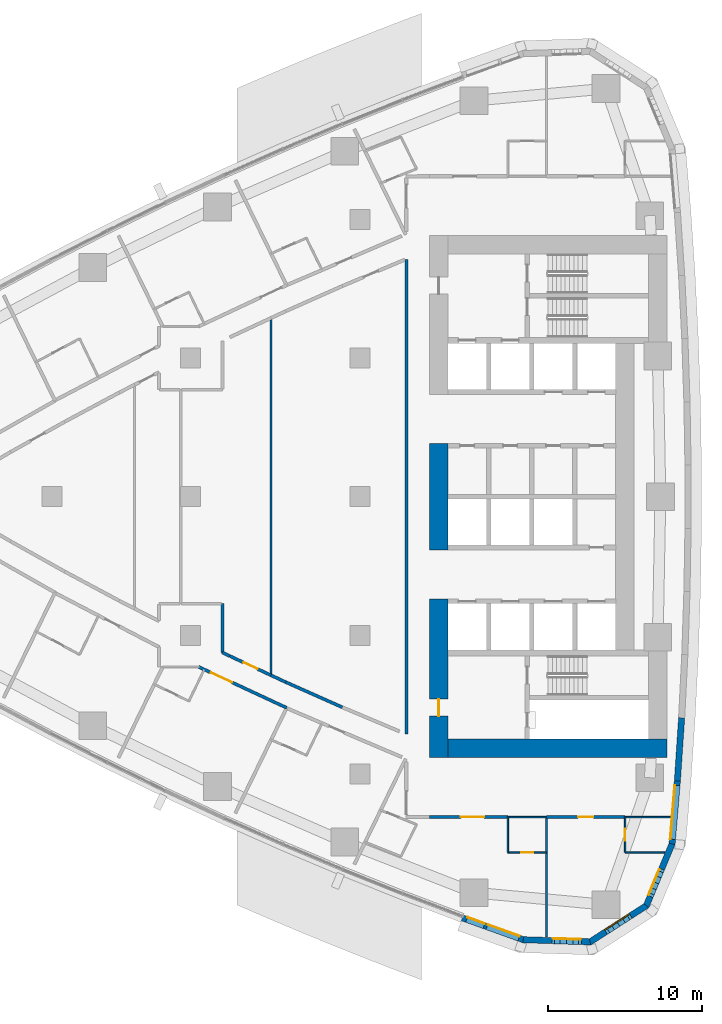
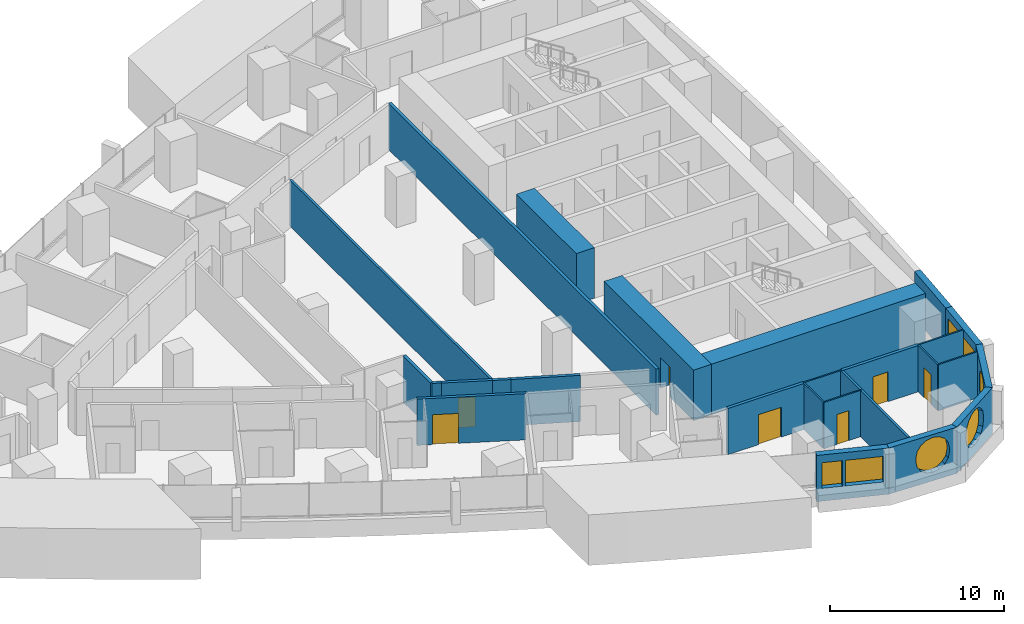
# One storey, part 10 of 19: 26 walls, 7 doors, 6 windows, 13 openings.
"""IFC4 building model written with IfcOpenShell, lengths in metres."""

from ifc_helpers import new_model, si_unit, direction, frame, frame_2d, origin, place, context, subcontext, project, spatial, polyline, rectangle, outline, extrude, material, layer, layer_set, type_object, element, fill, save


model = new_model("IFC4")

# Units and contexts
model_context = context("Model", 3, precision=1e-05, world=origin(), true_north=direction((0.0, 1.0)))
body_context = subcontext(model_context, "Body", "Model", "MODEL_VIEW")
ifc_project = project(units=[si_unit("LENGTHUNIT", "METRE"), si_unit("AREAUNIT", "SQUARE_METRE"), si_unit("VOLUMEUNIT", "CUBIC_METRE"), si_unit("PLANEANGLEUNIT", "RADIAN"), si_unit("MASSUNIT", "GRAM", prefix="KILO")], contexts=[model_context])

# Site, building, storey
site_placement = place(None, origin())
site = spatial("IfcSite", under=ifc_project, at=site_placement, CompositionType="ELEMENT")
building_placement = place(site_placement, origin())
building = spatial("IfcBuilding", under=site, at=building_placement, Name="Ostrand Prow Hotel Tower", CompositionType="ELEMENT")
storey_placement = place(building_placement, frame((0.0, 0.0, 50.25)))
storey = spatial("IfcBuildingStorey", under=building, at=storey_placement, Name="L10", CompositionType="ELEMENT", Elevation=50.25)

# Wall
ifc_material_1 = material(Name="Concrete C80/95", Category="concrete")
ifc_layer_1 = layer(ifc_material_1, 1.199951171875)
ifc_layer_set_1 = layer_set([ifc_layer_1], Name="Concrete C80/95")
wall_type_1 = type_object("IfcWallType", Name="Core wall 1200 C80/95", PredefinedType="SHEAR", material=ifc_layer_set_1)
wall_1_placement = place(storey_placement, frame((50.10009765625, -3.449951171875, 0.0), z_axis=(0.0, 0.0, 1.0), x_axis=(0.0, 1.0, 0.0)))
element("IfcWall", 1, at=wall_1_placement, inside=storey, type_object=wall_type_1, Name="Core wall CW-W-C", PredefinedType="SHEAR", context=body_context, shape_type="SweptSolid", body=[
    extrude(rectangle(XDim=6.89990234375, YDim=1.199951171875, at=frame_2d((3.449951171875, 0.0))), origin(), (0.0, 0.0, 1.0), 3.550048828125),
])

# Wall, opening, door
wall_2_placement = place(storey_placement, frame((50.10009765625, -16.949951171875, 0.0), z_axis=(0.0, 0.0, 1.0), x_axis=(0.0, 1.0, 0.0)))
wall_2 = element("IfcWall", 2, at=wall_2_placement, inside=storey, type_object=wall_type_1, Name="Core wall CW-W-S", PredefinedType="SHEAR", context=body_context, shape_type="SweptSolid", body=[
    extrude(rectangle(XDim=10.300048828125, YDim=1.199951171875, at=frame_2d((5.14990234375, 0.0))), origin(), (0.0, 0.0, 1.0), 3.550048828125),
])
opening_1_placement = place(wall_2_placement, frame((2.699951171875, 0.0, 0.0)))
opening_1 = element("IfcOpeningElement", 3, at=opening_1_placement, cuts=wall_2, Name="Opening FD1", PredefinedType="OPENING", context=body_context, shape_type="SweptSolid", body=[
    extrude(rectangle(XDim=1.10009765625, YDim=2.10009765625, at=frame_2d((0.550048828125, 1.050048828125))), frame((0.0, 0.60986328125, 0.0), z_axis=(0.0, -1.0, 0.0), x_axis=(1.0, 0.0, 0.0)), (0.0, 0.0, 1.0), 1.219970703125),
])
ifc_material_2 = material(Name="Steel fire door", Category="steel")
door_type_1 = type_object("IfcDoorType", Name="Fire door 1100 EI120", OperationType="SINGLE_SWING_RIGHT", PredefinedType="DOOR", material=ifc_material_2)
door_1_placement = place(opening_1_placement, origin())
door_1 = element("IfcDoor", 4, at=door_1_placement, inside=storey, type_object=door_type_1, Name="FIRE DOOR", OperationType="SINGLE_SWING_RIGHT", OverallHeight=2.10009765625, OverallWidth=1.10009765625, PredefinedType="DOOR", context=body_context, shape_type="SweptSolid", body=[
    extrude(rectangle(XDim=1.10009765625, YDim=2.10009765625, at=frame_2d((0.550048828125, 1.050048828125))), frame((0.0, 0.02490234375, 0.0), z_axis=(0.0, -1.0, 0.0), x_axis=(1.0, 0.0, 0.0)), (0.0, 0.0, 1.0), 0.050048828125),
])
fill(opening_1, door_1)

# Walls
wall_3_placement = place(storey_placement, frame((50.699951171875, -16.35009765625, 0.0), z_axis=(0.0, 0.0, 1.0), x_axis=(1.0, 0.0, 0.0)))
element("IfcWall", 5, at=wall_3_placement, inside=storey, type_object=wall_type_1, Name="Core wall CW-S", PredefinedType="SHEAR", context=body_context, shape_type="SweptSolid", body=[
    extrude(rectangle(XDim=14.219970703125, YDim=1.199951171875, at=frame_2d((7.10986328125, 0.0))), origin(), (0.0, 0.0, 1.0), 3.550048828125),
])
ifc_material_3 = material(Name="Plasterboard partition")
ifc_layer_2 = layer(ifc_material_3, 0.10009765625)
ifc_layer_set_2 = layer_set([ifc_layer_2], Name="Plasterboard partition")
wall_type_2 = type_object("IfcWallType", Name="Partition 100 bathroom wall", PredefinedType="PARTITIONING", material=ifc_layer_set_2)
wall_4_placement = place(storey_placement, frame((54.601806640625, -23.10009765625, 0.0), z_axis=(0.0, 0.0, 1.0), x_axis=(0.0, 1.0, 0.0)))
element("IfcWall", 6, at=wall_4_placement, inside=storey, type_object=wall_type_2, Name="BATHROOM WALL", PredefinedType="PARTITIONING", context=body_context, shape_type="SweptSolid", body=[
    extrude(rectangle(XDim=2.300048828125, YDim=0.10009765625, at=frame_2d((1.14990234375, 0.0))), origin(), (0.0, 0.0, 1.0), 3.25),
])

# Wall, opening, door
wall_5_placement = place(storey_placement, frame((57.101806640625, -23.10009765625, 0.0), z_axis=(0.0, 0.0, 1.0), x_axis=(-1.0, 0.0, 0.0)))
wall_5 = element("IfcWall", 7, at=wall_5_placement, inside=storey, type_object=wall_type_2, Name="BATHROOM WALL", PredefinedType="PARTITIONING", context=body_context, shape_type="SweptSolid", body=[
    extrude(rectangle(XDim=2.5, YDim=0.10009765625, at=frame_2d((1.25, 0.0))), origin(), (0.0, 0.0, 1.0), 3.25),
])
opening_2_placement = place(wall_5_placement, frame((0.85009765625, 0.0, 0.0)))
opening_2 = element("IfcOpeningElement", 8, at=opening_2_placement, cuts=wall_5, Name="Opening D2", PredefinedType="OPENING", context=body_context, shape_type="SweptSolid", body=[
    extrude(rectangle(XDim=0.800048828125, YDim=2.10009765625, at=frame_2d((0.39990234375, 1.050048828125))), frame((0.0, 0.06005859375, 0.0), z_axis=(0.0, -1.0, 0.0), x_axis=(1.0, 0.0, 0.0)), (0.0, 0.0, 1.0), 0.1201171875),
])
ifc_material_4 = material(Name="Timber door leaf", Category="wood")
door_type_2 = type_object("IfcDoorType", Name="Bathroom door 800", OperationType="SINGLE_SWING_LEFT", PredefinedType="DOOR", material=ifc_material_4)
door_2_placement = place(opening_2_placement, origin())
door_2 = element("IfcDoor", 9, at=door_2_placement, inside=storey, type_object=door_type_2, Name="DOOR", OperationType="SINGLE_SWING_LEFT", OverallHeight=2.10009765625, OverallWidth=0.800048828125, PredefinedType="DOOR", context=body_context, shape_type="SweptSolid", body=[
    extrude(rectangle(XDim=0.800048828125, YDim=2.10009765625, at=frame_2d((0.39990234375, 1.050048828125))), frame((0.0, 0.02490234375, 0.0), z_axis=(0.0, -1.0, 0.0), x_axis=(1.0, 0.0, 0.0)), (0.0, 0.0, 1.0), 0.050048828125),
])
fill(opening_2, door_2)

# Wall
wall_6_placement = place(storey_placement, frame((64.781494140625, -23.10009765625, 0.0), z_axis=(0.0, 0.0, 1.0), x_axis=(-1.0, 0.0, 0.0)))
element("IfcWall", 10, at=wall_6_placement, inside=storey, type_object=wall_type_2, Name="BATHROOM WALL", PredefinedType="PARTITIONING", context=body_context, shape_type="SweptSolid", body=[
    extrude(rectangle(XDim=2.578125, YDim=0.10009765625, at=frame_2d((1.2890625, 0.0))), origin(), (0.0, 0.0, 1.0), 3.25),
])

# Wall, opening, door
wall_7_placement = place(storey_placement, frame((62.203369140625, -23.10009765625, 0.0), z_axis=(0.0, 0.0, 1.0), x_axis=(0.0, 1.0, 0.0)))
wall_7 = element("IfcWall", 11, at=wall_7_placement, inside=storey, type_object=wall_type_2, Name="BATHROOM WALL", PredefinedType="PARTITIONING", context=body_context, shape_type="SweptSolid", body=[
    extrude(rectangle(XDim=2.300048828125, YDim=0.10009765625, at=frame_2d((1.14990234375, 0.0))), origin(), (0.0, 0.0, 1.0), 3.25),
])
opening_3_placement = place(wall_7_placement, frame((0.75, 0.0, 0.0)))
opening_3 = element("IfcOpeningElement", 12, at=opening_3_placement, cuts=wall_7, Name="Opening D2", PredefinedType="OPENING", context=body_context, shape_type="SweptSolid", body=[
    extrude(rectangle(XDim=0.800048828125, YDim=2.10009765625, at=frame_2d((0.39990234375, 1.050048828125))), frame((0.0, 0.06005859375, 0.0), z_axis=(0.0, -1.0, 0.0), x_axis=(1.0, 0.0, 0.0)), (0.0, 0.0, 1.0), 0.1201171875),
])
door_3_placement = place(opening_3_placement, origin())
door_3 = element("IfcDoor", 13, at=door_3_placement, inside=storey, type_object=door_type_2, Name="DOOR", OperationType="SINGLE_SWING_LEFT", OverallHeight=2.10009765625, OverallWidth=0.800048828125, PredefinedType="DOOR", context=body_context, shape_type="SweptSolid", body=[
    extrude(rectangle(XDim=0.800048828125, YDim=2.10009765625, at=frame_2d((0.39990234375, 1.050048828125))), frame((0.0, 0.02490234375, 0.0), z_axis=(0.0, -1.0, 0.0), x_axis=(1.0, 0.0, 0.0)), (0.0, 0.0, 1.0), 0.050048828125),
])
fill(opening_3, door_3)

# Walls
wall_8_placement = place(storey_placement, frame((54.601806640625, -20.804931640625, 0.0), z_axis=(0.0, 0.0, 1.0), x_axis=(1.0, 0.0, 0.0)))
element("IfcWall", 14, at=wall_8_placement, inside=storey, type_object=wall_type_2, Name="BATHROOM WALL", PredefinedType="PARTITIONING", context=body_context, shape_type="SweptSolid", body=[
    extrude(rectangle(XDim=2.5, YDim=0.10009765625, at=frame_2d((1.25, 0.0))), origin(), (0.0, 0.0, 1.0), 3.25),
])
wall_9_placement = place(storey_placement, frame((62.203369140625, -20.804931640625, 0.0), z_axis=(0.0, 0.0, 1.0), x_axis=(1.0, 0.0, 0.0)))
element("IfcWall", 15, at=wall_9_placement, inside=storey, type_object=wall_type_2, Name="BATHROOM WALL", PredefinedType="PARTITIONING", context=body_context, shape_type="SweptSolid", body=[
    extrude(rectangle(XDim=2.97119140625, YDim=0.10009765625, at=frame_2d((1.485595703125, 0.0))), origin(), (0.0, 0.0, 1.0), 3.25),
])
ifc_material_5 = material(Name="Plasterboard partition")
ifc_layer_3 = layer(ifc_material_5, 0.14990234375)
ifc_layer_set_3 = layer_set([ifc_layer_3], Name="Plasterboard partition")
wall_type_3 = type_object("IfcWallType", Name="Partition 150 room partition", PredefinedType="PARTITIONING", material=ifc_layer_set_3)
wall_10_placement = place(storey_placement, frame((57.101806640625, -28.5869140625, 0.0), z_axis=(0.0, 0.0, 1.0), x_axis=(0.0, 1.0, 0.0)))
element("IfcWall", 16, at=wall_10_placement, inside=storey, type_object=wall_type_3, Name="ROOM PARTITION", PredefinedType="PARTITIONING", context=body_context, shape_type="SweptSolid", body=[
    extrude(rectangle(XDim=7.786865234375, YDim=0.14990234375, at=frame_2d((3.8935546875, 0.0))), origin(), (0.0, 0.0, 1.0), 3.25),
])
wall_11_placement = place(storey_placement, frame((39.2119140625, -11.5966796875, 0.0), z_axis=(0.0, 0.0, 1.0), x_axis=(0.0, 1.0, 0.0)))
element("IfcWall", 17, at=wall_11_placement, inside=storey, type_object=wall_type_3, Name="ROOM PARTITION", PredefinedType="PARTITIONING", context=body_context, shape_type="SweptSolid", body=[
    extrude(rectangle(XDim=23.193359375, YDim=0.14990234375, at=frame_2d((11.5966796875, 0.0))), origin(), (0.0, 0.0, 1.0), 3.25),
])

# Wall, opening, door
ifc_material_6 = material(Name="Plasterboard partition")
ifc_layer_4 = layer(ifc_material_6, 0.199951171875)
ifc_layer_set_4 = layer_set([ifc_layer_4], Name="Plasterboard partition")
wall_type_4 = type_object("IfcWallType", Name="Partition 200 corridor wall", PredefinedType="PARTITIONING", material=ifc_layer_set_4)
wall_12_placement = place(storey_placement, frame((34.5087890625, -11.050048828125, 0.0), z_axis=(0.0, 0.0, 1.0), x_axis=(0.906710104698, -0.421754414368, 0.0)))
wall_12 = element("IfcWall", 18, at=wall_12_placement, inside=storey, type_object=wall_type_4, Name="CORRIDOR WALL", PredefinedType="PARTITIONING", context=body_context, shape_type="SweptSolid", body=[
    extrude(rectangle(XDim=6.31201171875, YDim=0.199951171875, at=frame_2d((3.156005859375, 0.0))), origin(), (0.0, 0.0, 1.0), 3.25),
])
opening_4_placement = place(wall_12_placement, frame((0.89990234375, 0.0, 0.0)))
opening_4 = element("IfcOpeningElement", 19, at=opening_4_placement, cuts=wall_12, Name="Opening D15", PredefinedType="OPENING", context=body_context, shape_type="SweptSolid", body=[
    extrude(rectangle(XDim=1.5, YDim=2.10009765625, at=frame_2d((0.75, 1.050048828125))), frame((0.0, 0.10986328125, 0.0), z_axis=(0.0, -1.0, 0.0), x_axis=(1.0, 0.0, 0.0)), (0.0, 0.0, 1.0), 0.219970703125),
])
ifc_material_7 = material(Name="Timber door leaf", Category="wood")
door_type_3 = type_object("IfcDoorType", Name="Double door 1500", OperationType="DOUBLE_DOOR_SINGLE_SWING", PredefinedType="DOOR", material=ifc_material_7)
door_4_placement = place(opening_4_placement, origin())
door_4 = element("IfcDoor", 20, at=door_4_placement, inside=storey, type_object=door_type_3, Name="DOOR", OperationType="DOUBLE_DOOR_SINGLE_SWING", OverallHeight=2.10009765625, OverallWidth=1.5, PredefinedType="DOOR", context=body_context, shape_type="SweptSolid", body=[
    extrude(rectangle(XDim=1.5, YDim=2.10009765625, at=frame_2d((0.75, 1.050048828125))), frame((0.0, 0.02490234375, 0.0), z_axis=(0.0, -1.0, 0.0), x_axis=(1.0, 0.0, 0.0)), (0.0, 0.0, 1.0), 0.050048828125),
])
fill(opening_4, door_4)

wall_13_placement = place(storey_placement, frame((39.2119140625, -11.5966796875, 0.0), z_axis=(0.0, 0.0, 1.0), x_axis=(-0.906348100281, 0.422531798943, 0.0)))
wall_13 = element("IfcWall", 21, at=wall_13_placement, inside=storey, type_object=wall_type_4, Name="CORRIDOR WALL", PredefinedType="PARTITIONING", context=body_context, shape_type="SweptSolid", body=[
    extrude(rectangle(XDim=2.947998046875, YDim=0.199951171875, at=frame_2d((1.47412109375, 0.0))), origin(), (0.0, 0.0, 1.0), 3.25),
])
opening_5_placement = place(wall_13_placement, frame((0.97412109375, 0.0, 0.0)))
opening_5 = element("IfcOpeningElement", 22, at=opening_5_placement, cuts=wall_13, Name="Opening D1R", PredefinedType="OPENING", context=body_context, shape_type="SweptSolid", body=[
    extrude(rectangle(XDim=1.0, YDim=2.10009765625, at=frame_2d((0.5, 1.050048828125))), frame((0.0, 0.10986328125, 0.0), z_axis=(0.0, -1.0, 0.0), x_axis=(1.0, 0.0, 0.0)), (0.0, 0.0, 1.0), 0.219970703125),
])
ifc_material_8 = material(Name="Timber door leaf", Category="wood")
door_type_4 = type_object("IfcDoorType", Name="Guest room door 1000 right", OperationType="SINGLE_SWING_RIGHT", PredefinedType="DOOR", material=ifc_material_8)
door_5_placement = place(opening_5_placement, origin())
door_5 = element("IfcDoor", 23, at=door_5_placement, inside=storey, type_object=door_type_4, Name="DOOR", OperationType="SINGLE_SWING_RIGHT", OverallHeight=2.10009765625, OverallWidth=1.0, PredefinedType="DOOR", context=body_context, shape_type="SweptSolid", body=[
    extrude(rectangle(XDim=1.0, YDim=2.10009765625, at=frame_2d((0.5, 1.050048828125))), frame((0.0, 0.02490234375, 0.0), z_axis=(0.0, -1.0, 0.0), x_axis=(1.0, 0.0, 0.0)), (0.0, 0.0, 1.0), 0.050048828125),
])
fill(opening_5, door_5)

# Walls
wall_14_placement = place(storey_placement, frame((43.85009765625, -13.67724609375, 0.0), z_axis=(0.0, 0.0, 1.0), x_axis=(-0.913986953061, 0.405743576209, 0.0)))
element("IfcWall", 24, at=wall_14_placement, inside=storey, type_object=wall_type_4, Name="CORRIDOR WALL", PredefinedType="PARTITIONING", context=body_context, shape_type="SweptSolid", body=[
    extrude(rectangle(XDim=4.015869140625, YDim=0.199951171875, at=frame_2d((2.0078125, 0.0))), origin(), (0.0, 0.0, 1.0), 3.25),
])
wall_15_placement = place(storey_placement, frame((40.1796875, -12.0478515625, 0.0), z_axis=(0.0, 0.0, 1.0), x_axis=(-0.906346628109, 0.422534956797, 0.0)))
element("IfcWall", 25, at=wall_15_placement, inside=storey, type_object=wall_type_4, Name="CORRIDOR WALL", PredefinedType="PARTITIONING", context=body_context, shape_type="SweptSolid", body=[
    extrude(rectangle(XDim=1.06787109375, YDim=0.199951171875, at=frame_2d((0.533935546875, 0.0))), origin(), (0.0, 0.0, 1.0), 3.25),
])

# Wall, opening, door
wall_16_placement = place(storey_placement, frame((49.5, -20.804931640625, 0.0), z_axis=(0.0, 0.0, 1.0), x_axis=(1.0, 0.0, 0.0)))
wall_16 = element("IfcWall", 26, at=wall_16_placement, inside=storey, type_object=wall_type_4, Name="CORRIDOR WALL", PredefinedType="PARTITIONING", context=body_context, shape_type="SweptSolid", body=[
    extrude(rectangle(XDim=5.0966796875, YDim=0.199951171875, at=frame_2d((2.54833984375, 0.0))), origin(), (0.0, 0.0, 1.0), 3.25),
])
opening_6_placement = place(wall_16_placement, frame((2.04833984375, 0.0, 0.0)))
opening_6 = element("IfcOpeningElement", 27, at=opening_6_placement, cuts=wall_16, Name="Opening D15", PredefinedType="OPENING", context=body_context, shape_type="SweptSolid", body=[
    extrude(rectangle(XDim=1.5, YDim=2.10009765625, at=frame_2d((0.75, 1.050048828125))), frame((0.0, 0.10986328125, 0.0), z_axis=(0.0, -1.0, 0.0), x_axis=(1.0, 0.0, 0.0)), (0.0, 0.0, 1.0), 0.219970703125),
])
door_6_placement = place(opening_6_placement, origin())
door_6 = element("IfcDoor", 28, at=door_6_placement, inside=storey, type_object=door_type_3, Name="DOOR", OperationType="DOUBLE_DOOR_SINGLE_SWING", OverallHeight=2.10009765625, OverallWidth=1.5, PredefinedType="DOOR", context=body_context, shape_type="SweptSolid", body=[
    extrude(rectangle(XDim=1.5, YDim=2.10009765625, at=frame_2d((0.75, 1.050048828125))), frame((0.0, 0.02490234375, 0.0), z_axis=(0.0, -1.0, 0.0), x_axis=(1.0, 0.0, 0.0)), (0.0, 0.0, 1.0), 0.050048828125),
])
fill(opening_6, door_6)

wall_17_placement = place(storey_placement, frame((57.106689453125, -20.804931640625, 0.0), z_axis=(0.0, 0.0, 1.0), x_axis=(1.0, 0.0, 0.0)))
wall_17 = element("IfcWall", 29, at=wall_17_placement, inside=storey, type_object=wall_type_4, Name="CORRIDOR WALL", PredefinedType="PARTITIONING", context=body_context, shape_type="SweptSolid", body=[
    extrude(rectangle(XDim=5.091552734375, YDim=0.199951171875, at=frame_2d((2.5458984375, 0.0))), origin(), (0.0, 0.0, 1.0), 3.25),
])
opening_7_placement = place(wall_17_placement, frame((2.0458984375, 0.0, 0.0)))
opening_7 = element("IfcOpeningElement", 30, at=opening_7_placement, cuts=wall_17, Name="Opening D1", PredefinedType="OPENING", context=body_context, shape_type="SweptSolid", body=[
    extrude(rectangle(XDim=1.0, YDim=2.10009765625, at=frame_2d((0.5, 1.050048828125))), frame((0.0, 0.10986328125, 0.0), z_axis=(0.0, -1.0, 0.0), x_axis=(1.0, 0.0, 0.0)), (0.0, 0.0, 1.0), 0.219970703125),
])
ifc_material_9 = material(Name="Timber door leaf", Category="wood")
door_type_5 = type_object("IfcDoorType", Name="Guest room door 1000", OperationType="SINGLE_SWING_LEFT", PredefinedType="DOOR", material=ifc_material_9)
door_7_placement = place(opening_7_placement, origin())
door_7 = element("IfcDoor", 31, at=door_7_placement, inside=storey, type_object=door_type_5, Name="DOOR", OperationType="SINGLE_SWING_LEFT", OverallHeight=2.10009765625, OverallWidth=1.0, PredefinedType="DOOR", context=body_context, shape_type="SweptSolid", body=[
    extrude(rectangle(XDim=1.0, YDim=2.10009765625, at=frame_2d((0.5, 1.050048828125))), frame((0.0, 0.02490234375, 0.0), z_axis=(0.0, -1.0, 0.0), x_axis=(1.0, 0.0, 0.0)), (0.0, 0.0, 1.0), 0.050048828125),
])
fill(opening_7, door_7)

# Walls
wall_18_placement = place(storey_placement, frame((36.054931640625, -10.1083984375, 0.0), z_axis=(0.0, 0.0, 1.0), x_axis=(-0.000540415269, 0.999999853976, 0.0)))
element("IfcWall", 32, at=wall_18_placement, inside=storey, type_object=wall_type_4, Name="CORRIDOR WALL", PredefinedType="PARTITIONING", context=body_context, shape_type="SweptSolid", body=[
    extrude(rectangle(XDim=3.162353515625, YDim=0.199951171875, at=frame_2d((1.5810546875, 0.0))), origin(), (0.0, 0.0, 1.0), 3.25),
])
wall_19_placement = place(storey_placement, frame((48.0, 15.4140625, 0.0), z_axis=(0.0, 0.0, 1.0), x_axis=(0.0, -1.0, 0.0)))
element("IfcWall", 33, at=wall_19_placement, inside=storey, type_object=wall_type_4, Name="CORRIDOR WALL", PredefinedType="PARTITIONING", context=body_context, shape_type="SweptSolid", body=[
    extrude(rectangle(XDim=30.828125, YDim=0.199951171875, at=frame_2d((15.4140625, 0.0))), origin(), (0.0, 0.0, 1.0), 3.25),
])
wall_20_placement = place(storey_placement, frame((36.5400390625, -10.35107421875, 0.0), z_axis=(0.0, 0.0, 1.0), x_axis=(-0.894337154042, 0.447393624116, 0.0)))
element("IfcWall", 34, at=wall_20_placement, inside=storey, type_object=wall_type_4, Name="CORRIDOR WALL", PredefinedType="PARTITIONING", context=body_context, shape_type="SweptSolid", body=[
    extrude(rectangle(XDim=0.54248046875, YDim=0.199951171875, at=frame_2d((0.271240234375, 0.0))), origin(), (0.0, 0.0, 1.0), 3.25),
])

# Wall, openings, windows
ifc_material_10 = material(Name="Precast concrete C40/50", Category="concrete")
ifc_layer_5 = layer(ifc_material_10, 0.39990234375)
ifc_layer_set_5 = layer_set([ifc_layer_5], Name="Precast concrete C40/50")
wall_type_5 = type_object("IfcWallType", Name="Stone-faced precast wall 400 mm", PredefinedType="NOTDEFINED", material=ifc_layer_set_5)
wall_21_placement = place(storey_placement, frame((51.639892578125, -27.3515625, 0.0), z_axis=(0.0, 0.0, 1.0), x_axis=(0.941339752885, -0.337460323057, 0.0)))
wall_21 = element("IfcWall", 35, at=wall_21_placement, inside=storey, type_object=wall_type_5, Name="Stone-faced wall back 1", PredefinedType="NOTDEFINED", context=body_context, shape_type="SweptSolid", body=[
    extrude(outline(polyline([(0.0, -0.199951171875), (4.2275390625, -0.199951171875), (4.16455078125, 0.199951171875), (0.0, 0.199951171875), (0.0, -0.199951171875)])), origin(), (0.0, 0.0, 1.0), 3.25),
])
opening_8_placement = place(wall_21_placement, frame((0.298095703125, 0.0, 0.89990234375)))
opening_8 = element("IfcOpeningElement", 36, at=opening_8_placement, cuts=wall_21, Name="Opening WS4", PredefinedType="OPENING", context=body_context, shape_type="SweptSolid", body=[
    extrude(rectangle(XDim=1.199951171875, YDim=1.800048828125, at=frame_2d((0.60009765625, 0.89990234375))), frame((0.0, 0.2099609375, 0.0), z_axis=(0.0, -1.0, 0.0), x_axis=(1.0, 0.0, 0.0)), (0.0, 0.0, 1.0), 0.419921875),
])
opening_9_placement = place(wall_21_placement, frame((1.697998046875, 0.0, 0.89990234375)))
opening_9 = element("IfcOpeningElement", 37, at=opening_9_placement, cuts=wall_21, Name="Opening WS5-22", PredefinedType="OPENING", context=body_context, shape_type="SweptSolid", body=[
    extrude(rectangle(XDim=2.199951171875, YDim=1.800048828125, at=frame_2d((1.10009765625, 0.89990234375))), frame((0.0, 0.2099609375, 0.0), z_axis=(0.0, -1.0, 0.0), x_axis=(1.0, 0.0, 0.0)), (0.0, 0.0, 1.0), 0.419921875),
])
ifc_material_11 = material(Name="Insulated glass in bronze frame", Category="glass")
window_type_1 = type_object("IfcWindowType", Name="Fixed strip window 2200x1800", PartitioningType="SINGLE_PANEL", PredefinedType="WINDOW", material=ifc_material_11)
window_1_placement = place(opening_9_placement, origin())
window_1 = element("IfcWindow", 38, at=window_1_placement, inside=storey, type_object=window_type_1, Name="Window back 1.2", OverallHeight=1.800048828125, OverallWidth=2.199951171875, PartitioningType="SINGLE_PANEL", PredefinedType="WINDOW", context=body_context, shape_type="SweptSolid", body=[
    extrude(rectangle(XDim=2.199951171875, YDim=1.800048828125, at=frame_2d((1.10009765625, 0.89990234375))), frame((0.0, 0.169921875, 0.0), z_axis=(0.0, -1.0, 0.0), x_axis=(1.0, 0.0, 0.0)), (0.0, 0.0, 1.0), 0.06005859375),
])
fill(opening_9, window_1)
ifc_material_12 = material(Name="Insulated glass in bronze frame", Category="glass")
window_type_2 = type_object("IfcWindowType", Name="Operable strip panel 1200x1800", PartitioningType="SINGLE_PANEL", PredefinedType="WINDOW", material=ifc_material_12)
window_2_placement = place(opening_8_placement, origin())
window_2 = element("IfcWindow", 39, at=window_2_placement, inside=storey, type_object=window_type_2, Name="Window back 1.1", OverallHeight=1.800048828125, OverallWidth=1.199951171875, PartitioningType="SINGLE_PANEL", PredefinedType="WINDOW", context=body_context, shape_type="SweptSolid", body=[
    extrude(rectangle(XDim=1.199951171875, YDim=1.800048828125, at=frame_2d((0.60009765625, 0.89990234375))), frame((0.0, 0.169921875, 0.0), z_axis=(0.0, -1.0, 0.0), x_axis=(1.0, 0.0, 0.0)), (0.0, 0.0, 1.0), 0.06005859375),
])
fill(opening_8, window_2)

# Wall, opening, window
wall_22_placement = place(storey_placement, frame((55.58984375, -28.767578125, 0.0), z_axis=(0.0, 0.0, 1.0), x_axis=(0.999463576228, -0.032749958686, 0.0)))
wall_22 = element("IfcWall", 40, at=wall_22_placement, inside=storey, type_object=wall_type_5, Name="Stone-faced wall back 2", PredefinedType="NOTDEFINED", context=body_context, shape_type="SweptSolid", body=[
    extrude(outline(polyline([(-0.031494140625, -0.199951171875), (4.40869140625, -0.199951171875), (4.28369140625, 0.199951171875), (0.031494140625, 0.199951171875), (-0.031494140625, -0.199951171875)])), origin(), (0.0, 0.0, 1.0), 3.25),
])
opening_10_placement = place(wall_22_placement, frame((1.724365234375, 0.0, 0.60009765625)))
opening_10 = element("IfcOpeningElement", 41, at=opening_10_placement, cuts=wall_22, Name="Opening WP1", PredefinedType="OPENING", context=body_context, shape_type="SweptSolid", body=[
    extrude(outline(polyline([(0.0, 1.35009765625), (0.083740234375, 1.77099609375), (0.322265625, 2.127685546875), (0.678955078125, 2.3662109375), (1.10009765625, 2.449951171875), (1.52099609375, 2.3662109375), (1.877685546875, 2.127685546875), (2.1162109375, 1.77099609375), (2.199951171875, 1.35009765625), (2.199951171875, 1.10009765625), (2.1162109375, 0.678955078125), (1.877685546875, 0.322265625), (1.52099609375, 0.083740234375), (1.10009765625, 0.0), (0.678955078125, 0.083740234375), (0.322265625, 0.322265625), (0.083740234375, 0.678955078125), (0.0, 1.099853515625), (0.0, 1.35009765625)])), frame((0.0, 0.2099609375, 0.0), z_axis=(0.0, -1.0, 0.0), x_axis=(1.0, 0.0, 0.0)), (0.0, 0.0, 1.0), 0.419921875),
])
ifc_material_13 = material(Name="Insulated glass in bronze frame", Category="glass")
window_type_3 = type_object("IfcWindowType", Name="Round-ended prow window 2200x2450", PartitioningType="SINGLE_PANEL", PredefinedType="WINDOW", material=ifc_material_13)
window_3_placement = place(opening_10_placement, origin())
window_3 = element("IfcWindow", 42, at=window_3_placement, inside=storey, type_object=window_type_3, Name="Window back 2.1", OverallHeight=2.449951171875, OverallWidth=2.199951171875, PartitioningType="SINGLE_PANEL", PredefinedType="WINDOW", context=body_context, shape_type="SweptSolid", body=[
    extrude(outline(polyline([(0.0, 1.35009765625), (0.083740234375, 1.77099609375), (0.322265625, 2.127685546875), (0.678955078125, 2.3662109375), (1.10009765625, 2.449951171875), (1.52099609375, 2.3662109375), (1.877685546875, 2.127685546875), (2.1162109375, 1.77099609375), (2.199951171875, 1.35009765625), (2.199951171875, 1.10009765625), (2.1162109375, 0.678955078125), (1.877685546875, 0.322265625), (1.52099609375, 0.083740234375), (1.10009765625, 0.0), (0.678955078125, 0.083740234375), (0.322265625, 0.322265625), (0.083740234375, 0.678955078125), (0.0, 1.099853515625), (0.0, 1.35009765625)])), frame((0.0, 0.169921875, 0.0), z_axis=(0.0, -1.0, 0.0), x_axis=(1.0, 0.0, 0.0)), (0.0, 0.0, 1.0), 0.06005859375),
])
fill(opening_10, window_3)

wall_23_placement = place(storey_placement, frame((59.93359375, -28.909912109375, 0.0), z_axis=(0.0, 0.0, 1.0), x_axis=(0.840937468718, 0.541132307025, 0.0)))
wall_23 = element("IfcWall", 43, at=wall_23_placement, inside=storey, type_object=wall_type_5, Name="Stone-faced wall back 3", PredefinedType="NOTDEFINED", context=body_context, shape_type="SweptSolid", body=[
    extrude(outline(polyline([(-0.0625, -0.199951171875), (4.40869140625, -0.199951171875), (4.28369140625, 0.199951171875), (0.0625, 0.199951171875), (-0.0625, -0.199951171875)])), origin(), (0.0, 0.0, 1.0), 3.25),
])
opening_11_placement = place(wall_23_placement, frame((1.072998046875, 0.0, 0.60009765625)))
opening_11 = element("IfcOpeningElement", 44, at=opening_11_placement, cuts=wall_23, Name="Opening WP1", PredefinedType="OPENING", context=body_context, shape_type="SweptSolid", body=[
    extrude(outline(polyline([(0.0, 1.35009765625), (0.083740234375, 1.77099609375), (0.322265625, 2.127685546875), (0.678955078125, 2.3662109375), (1.10009765625, 2.449951171875), (1.52099609375, 2.3662109375), (1.877685546875, 2.127685546875), (2.1162109375, 1.77099609375), (2.199951171875, 1.35009765625), (2.199951171875, 1.10009765625), (2.1162109375, 0.678955078125), (1.877685546875, 0.322265625), (1.52099609375, 0.083740234375), (1.10009765625, 0.0), (0.678955078125, 0.083740234375), (0.322265625, 0.322265625), (0.083740234375, 0.678955078125), (0.0, 1.099853515625), (0.0, 1.35009765625)])), frame((0.0, 0.2099609375, 0.0), z_axis=(0.0, -1.0, 0.0), x_axis=(1.0, 0.0, 0.0)), (0.0, 0.0, 1.0), 0.419921875),
])
window_4_placement = place(opening_11_placement, origin())
window_4 = element("IfcWindow", 45, at=window_4_placement, inside=storey, type_object=window_type_3, Name="Window back 3.1", OverallHeight=2.449951171875, OverallWidth=2.199951171875, PartitioningType="SINGLE_PANEL", PredefinedType="WINDOW", context=body_context, shape_type="SweptSolid", body=[
    extrude(outline(polyline([(0.0, 1.35009765625), (0.083740234375, 1.77099609375), (0.322265625, 2.127685546875), (0.678955078125, 2.3662109375), (1.10009765625, 2.449951171875), (1.52099609375, 2.3662109375), (1.877685546875, 2.127685546875), (2.1162109375, 1.77099609375), (2.199951171875, 1.35009765625), (2.199951171875, 1.10009765625), (2.1162109375, 0.678955078125), (1.877685546875, 0.322265625), (1.52099609375, 0.083740234375), (1.10009765625, 0.0), (0.678955078125, 0.083740234375), (0.322265625, 0.322265625), (0.083740234375, 0.678955078125), (0.0, 1.099853515625), (0.0, 1.35009765625)])), frame((0.0, 0.169921875, 0.0), z_axis=(0.0, -1.0, 0.0), x_axis=(1.0, 0.0, 0.0)), (0.0, 0.0, 1.0), 0.06005859375),
])
fill(opening_11, window_4)

wall_24_placement = place(storey_placement, frame((63.58837890625, -26.55810546875, 0.0), z_axis=(0.0, 0.0, 1.0), x_axis=(0.384372042685, 0.923178277908, 0.0)))
wall_24 = element("IfcWall", 46, at=wall_24_placement, inside=storey, type_object=wall_type_5, Name="Stone-faced wall back 4", PredefinedType="NOTDEFINED", context=body_context, shape_type="SweptSolid", body=[
    extrude(outline(polyline([(-0.0625, -0.199951171875), (4.376953125, -0.199951171875), (4.314453125, 0.199951171875), (0.0625, 0.199951171875), (-0.0625, -0.199951171875)])), origin(), (0.0, 0.0, 1.0), 3.25),
])
opening_12_placement = place(wall_24_placement, frame((0.515380859375, 0.0, 0.60009765625)))
opening_12 = element("IfcOpeningElement", 47, at=opening_12_placement, cuts=wall_24, Name="Opening WP1", PredefinedType="OPENING", context=body_context, shape_type="SweptSolid", body=[
    extrude(outline(polyline([(0.0, 1.35009765625), (0.083740234375, 1.77099609375), (0.322265625, 2.127685546875), (0.678955078125, 2.3662109375), (1.10009765625, 2.449951171875), (1.52099609375, 2.3662109375), (1.877685546875, 2.127685546875), (2.1162109375, 1.77099609375), (2.199951171875, 1.35009765625), (2.199951171875, 1.10009765625), (2.1162109375, 0.678955078125), (1.877685546875, 0.322265625), (1.52099609375, 0.083740234375), (1.10009765625, 0.0), (0.678955078125, 0.083740234375), (0.322265625, 0.322265625), (0.083740234375, 0.678955078125), (0.0, 1.099853515625), (0.0, 1.35009765625)])), frame((0.0, 0.2099609375, 0.0), z_axis=(0.0, -1.0, 0.0), x_axis=(1.0, 0.0, 0.0)), (0.0, 0.0, 1.0), 0.419921875),
])
window_5_placement = place(opening_12_placement, origin())
window_5 = element("IfcWindow", 48, at=window_5_placement, inside=storey, type_object=window_type_3, Name="Window back 4.1", OverallHeight=2.449951171875, OverallWidth=2.199951171875, PartitioningType="SINGLE_PANEL", PredefinedType="WINDOW", context=body_context, shape_type="SweptSolid", body=[
    extrude(outline(polyline([(0.0, 1.35009765625), (0.083740234375, 1.77099609375), (0.322265625, 2.127685546875), (0.678955078125, 2.3662109375), (1.10009765625, 2.449951171875), (1.52099609375, 2.3662109375), (1.877685546875, 2.127685546875), (2.1162109375, 1.77099609375), (2.199951171875, 1.35009765625), (2.199951171875, 1.10009765625), (2.1162109375, 0.678955078125), (1.877685546875, 0.322265625), (1.52099609375, 0.083740234375), (1.10009765625, 0.0), (0.678955078125, 0.083740234375), (0.322265625, 0.322265625), (0.083740234375, 0.678955078125), (0.0, 1.099853515625), (0.0, 1.35009765625)])), frame((0.0, 0.169921875, 0.0), z_axis=(0.0, -1.0, 0.0), x_axis=(1.0, 0.0, 0.0)), (0.0, 0.0, 1.0), 0.06005859375),
])
fill(opening_12, window_5)

wall_25_placement = place(storey_placement, frame((65.2587890625, -22.546142578125, 0.0), z_axis=(0.0, 0.0, 1.0), x_axis=(0.083793550906, 0.996483136248, 0.0)))
wall_25 = element("IfcWall", 49, at=wall_25_placement, inside=storey, type_object=wall_type_5, Name="Stone-faced wall back 5", PredefinedType="NOTDEFINED", context=body_context, shape_type="SweptSolid", body=[
    extrude(outline(polyline([(-0.03125, -0.199951171875), (4.10693359375, -0.199951171875), (4.103515625, 0.199951171875), (0.03125, 0.199951171875), (-0.03125, -0.199951171875)])), origin(), (0.0, 0.0, 1.0), 3.25),
])
opening_13_placement = place(wall_25_placement, frame((0.302490234375, 0.0, 0.89990234375)))
opening_13 = element("IfcOpeningElement", 50, at=opening_13_placement, cuts=wall_25, Name="Opening WS3-35", PredefinedType="OPENING", context=body_context, shape_type="SweptSolid", body=[
    extrude(rectangle(XDim=3.5, YDim=1.800048828125, at=frame_2d((1.75, 0.89990234375))), frame((0.0, 0.2099609375, 0.0), z_axis=(0.0, -1.0, 0.0), x_axis=(1.0, 0.0, 0.0)), (0.0, 0.0, 1.0), 0.419921875),
])
ifc_material_14 = material(Name="Insulated glass in bronze frame", Category="glass")
window_type_4 = type_object("IfcWindowType", Name="Strip window 3500x1800", PartitioningType="SINGLE_PANEL", PredefinedType="WINDOW", material=ifc_material_14)
window_6_placement = place(opening_13_placement, origin())
window_6 = element("IfcWindow", 51, at=window_6_placement, inside=storey, type_object=window_type_4, Name="Window back 5.1", OverallHeight=1.800048828125, OverallWidth=3.5, PartitioningType="SINGLE_PANEL", PredefinedType="WINDOW", context=body_context, shape_type="SweptSolid", body=[
    extrude(rectangle(XDim=3.5, YDim=1.800048828125, at=frame_2d((1.75, 0.89990234375))), frame((0.0, 0.169921875, 0.0), z_axis=(0.0, -1.0, 0.0), x_axis=(1.0, 0.0, 0.0)), (0.0, 0.0, 1.0), 0.06005859375),
])
fill(opening_13, window_6)

# Wall
wall_26_placement = place(storey_placement, frame((65.602783203125, -18.455322265625, 0.0), z_axis=(0.0, 0.0, 1.0), x_axis=(0.067087430225, 0.997747100575, 0.0)))
element("IfcWall", 52, at=wall_26_placement, inside=storey, type_object=wall_type_5, Name="Stone-faced wall back 6", PredefinedType="NOTDEFINED", context=body_context, shape_type="SweptSolid", body=[
    extrude(outline(polyline([(-0.001708984375, -0.199951171875), (4.106689453125, -0.199951171875), (4.103271484375, 0.199951171875), (0.001708984375, 0.199951171875), (-0.001708984375, -0.199951171875)])), origin(), (0.0, 0.0, 1.0), 3.25),
])

save(model, "model.ifc")
